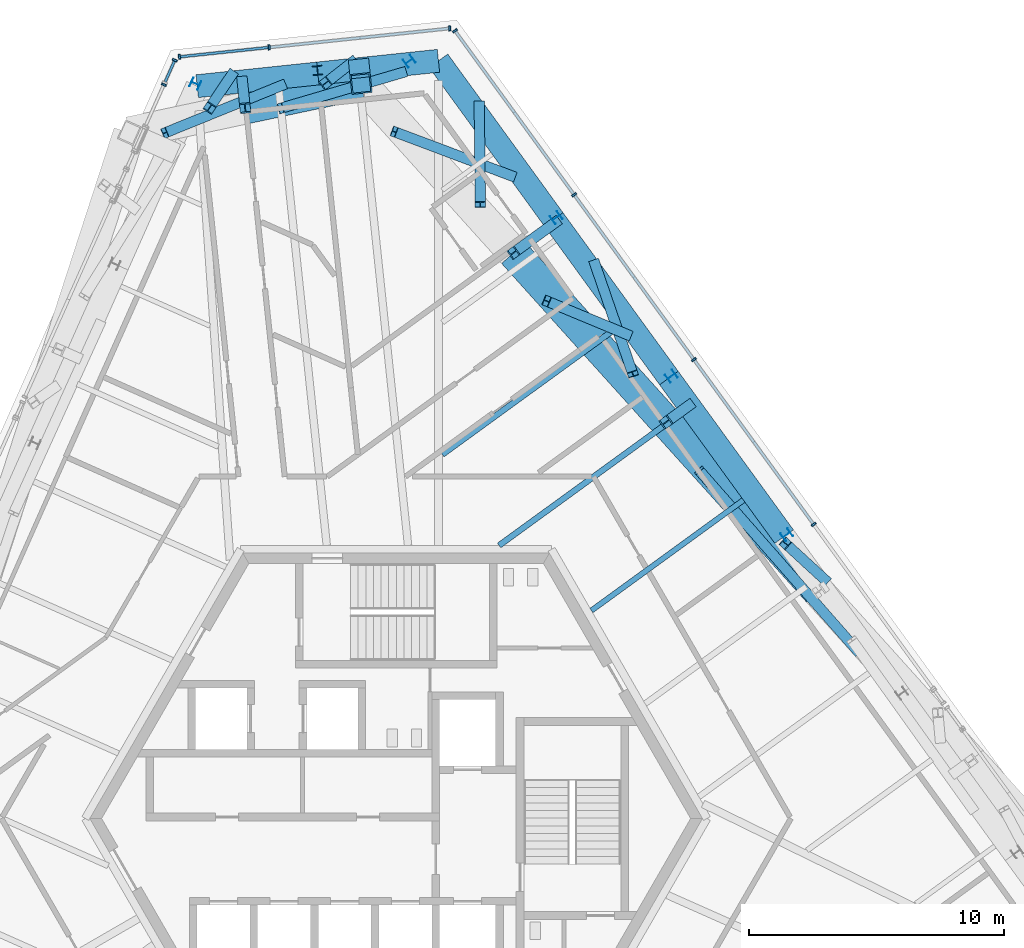
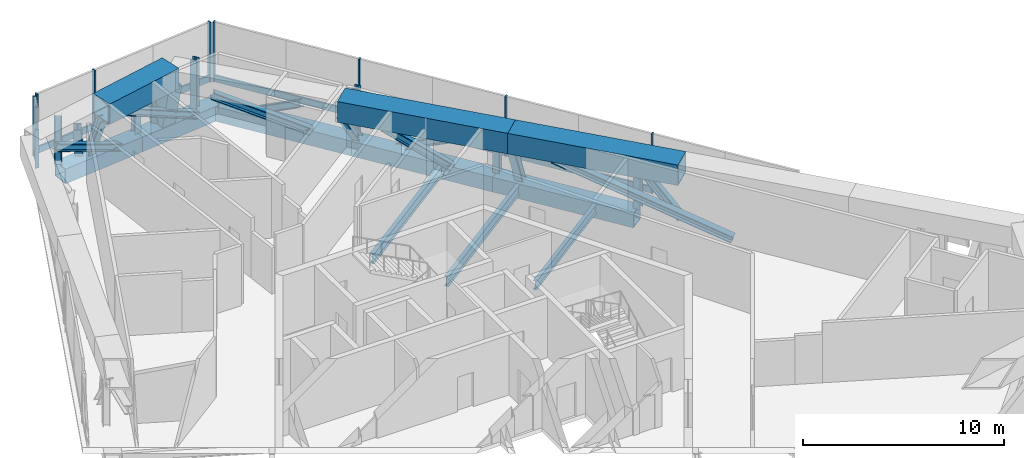
# One storey, part 7 of 23: 43 members, 3 beams, 4 elements without a shape of their own.
"""IFC4 building model written with IfcOpenShell, lengths in metres."""

import ifcopenshell
import ifcopenshell.guid

model = None  # the IFC model being written
_history = None  # IfcOwnerHistory: only IFC2X3 demands one
_inside = {}  # id of a spatial element -> (the spatial element, [elements in it])
_under = {}  # id of a project, library or spatial element -> (it, [spatial elements below it])
_declared = {}  # id of a project -> (the project, [libraries it declares])
_typed = {}  # id of a type object -> (the type object, [elements of that type])
_made_of = {}  # id of a material, layer set ... -> (it, [elements and type objects made of it])


def new_model(schema):
    """Start an empty IFC model of exactly this schema.

    Asked for "IFC4X3", IfcOpenShell would pick the latest addendum, in which some entities
    have other attributes; the version numbers below select the first issue.
    IFC2X3 requires an IfcOwnerHistory on every rooted entity: one is made here for all.
    """
    global model, _history
    if schema == "IFC4X3":
        model = ifcopenshell.file(schema_version=(4, 3, 0, 0))
    else:
        model = ifcopenshell.file(schema=schema)
    _inside.clear()
    _under.clear()
    _declared.clear()
    _typed.clear()
    _made_of.clear()
    _history = None
    if model.schema == "IFC2X3":
        org = make("IfcOrganization", Name="unknown")
        user = make(
            "IfcPersonAndOrganization",
            ThePerson=make("IfcPerson", FamilyName="unknown"),
            TheOrganization=org,
        )
        app = make(
            "IfcApplication",
            ApplicationDeveloper=org,
            Version="unknown",
            ApplicationFullName="unknown",
            ApplicationIdentifier="unknown",
        )
        _history = make(
            "IfcOwnerHistory",
            OwningUser=user,
            OwningApplication=app,
            ChangeAction="ADDED",
            CreationDate=0,
        )
    return model


def make(cls, **values):
    """One entity of the class cls with the attributes given. An attribute that is None is left unset."""
    return model.create_entity(
        cls, **{name: value for name, value in values.items() if value is not None}
    )


def rooted(cls, **values):
    """An entity with a GlobalId (a new one), such as an element, a storey or a relation."""
    return make(cls, GlobalId=ifcopenshell.guid.new(), OwnerHistory=_history, **values)


def si_unit(unit_type, name, prefix=None):
    """IfcSIUnit, for example si_unit("LENGTHUNIT", "METRE", prefix="MILLI")."""
    return make("IfcSIUnit", UnitType=unit_type, Prefix=prefix, Name=name)


def assignment(units):
    """IfcUnitAssignment: the units of a project."""
    return None if units is None else make("IfcUnitAssignment", Units=units)


def point(xyz):
    """IfcCartesianPoint."""
    return None if xyz is None else make("IfcCartesianPoint", Coordinates=xyz)


def direction(xyz):
    """IfcDirection."""
    return None if xyz is None else make("IfcDirection", DirectionRatios=xyz)


def frame(location, z_axis=None, x_axis=None):
    """IfcAxis2Placement3D, a coordinate frame: its origin and axes. An axis left out is left unset."""
    return make(
        "IfcAxis2Placement3D",
        Location=point(location),
        Axis=direction(z_axis),
        RefDirection=direction(x_axis),
    )


def frame_2d(location, x_axis=None):
    """IfcAxis2Placement2D, a coordinate frame in the plane: its origin and x axis."""
    return make(
        "IfcAxis2Placement2D", Location=point(location), RefDirection=direction(x_axis)
    )


def origin():
    """The frame at (0, 0, 0) with its axes left unset."""
    return frame((0.0, 0.0, 0.0))


def origin_2d():
    """The frame at (0, 0) in the plane with its x axis left unset."""
    return frame_2d((0.0, 0.0))


def place(relative_to, where):
    """IfcLocalPlacement: puts the frame where relative to a parent placement (None: the world)."""
    return make(
        "IfcLocalPlacement", PlacementRelTo=relative_to, RelativePlacement=where
    )


def context(
    kind, dimensions, precision=None, world=None, true_north=None, identifier=None
):
    """IfcGeometricRepresentationContext, for example the 3D "Model" context."""
    return make(
        "IfcGeometricRepresentationContext",
        ContextIdentifier=identifier,
        ContextType=kind,
        CoordinateSpaceDimension=dimensions,
        Precision=precision,
        WorldCoordinateSystem=world,
        TrueNorth=true_north,
    )


def subcontext(parent, identifier, kind, view, scale=None):
    """IfcGeometricRepresentationSubContext, for example "Body" below "Model"."""
    return make(
        "IfcGeometricRepresentationSubContext",
        ContextIdentifier=identifier,
        ContextType=kind,
        ParentContext=parent,
        TargetScale=scale,
        TargetView=view,
    )


def project(units=None, contexts=None):
    """IfcProject with its units and contexts."""
    return rooted(
        "IfcProject",
        Name="project",
        RepresentationContexts=contexts,
        UnitsInContext=assignment(units),
    )


def spatial(cls, under=None, at=None, **own):
    """A site, building, storey or space (cls), placed at a placement, below another one or the project."""
    s = rooted(cls, ObjectPlacement=at, **own)
    if under is not None:
        _under.setdefault(under.id(), (under, []))[1].append(s)
    return s


def profile(cls, at=None, kind="AREA", **sizes):
    """A parametric profile (cls). Its sizes go by their IFC names, for example OverallWidth=200.0."""
    return make(cls, ProfileType=kind, Position=at, **sizes)


def rectangle(**sizes):
    """IfcRectangleProfileDef."""
    return profile("IfcRectangleProfileDef", **sizes)


def hollow_rectangle(**sizes):
    """IfcRectangleHollowProfileDef."""
    return profile("IfcRectangleHollowProfileDef", **sizes)


def i_section(**sizes):
    """IfcIShapeProfileDef."""
    return profile("IfcIShapeProfileDef", **sizes)


def extrude(swept, where, along, depth):
    """IfcExtrudedAreaSolid: the profile swept, set in the frame where, extruded along a direction by depth."""
    return make(
        "IfcExtrudedAreaSolid",
        SweptArea=swept,
        Position=where,
        ExtrudedDirection=direction(along),
        Depth=depth,
    )


def shape(context_of_items, identifier, shape_type, items):
    """IfcShapeRepresentation: the items that make up one representation, for example the "Body"."""
    return make(
        "IfcShapeRepresentation",
        ContextOfItems=context_of_items,
        RepresentationIdentifier=identifier,
        RepresentationType=shape_type,
        Items=items,
    )


def source(mapping_origin, context_of_items, identifier, shape_type, items):
    """IfcRepresentationMap: a shape defined once, which mapped items show again and again."""
    return make(
        "IfcRepresentationMap",
        MappingOrigin=mapping_origin,
        MappedRepresentation=shape(context_of_items, identifier, shape_type, items),
    )


def transform(
    local_origin,
    x_axis=None,
    y_axis=None,
    z_axis=None,
    scale=None,
    scale2=None,
    scale3=None,
    uniform=True,
):
    """IfcCartesianTransformationOperator3D, or its non-uniform kind. x_axis, y_axis, z_axis: its Axis1, 2, 3."""
    if uniform:
        return make(
            "IfcCartesianTransformationOperator3D",
            Axis1=direction(x_axis),
            Axis2=direction(y_axis),
            LocalOrigin=point(local_origin),
            Scale=scale,
            Axis3=direction(z_axis),
        )
    return make(
        "IfcCartesianTransformationOperator3DnonUniform",
        Axis1=direction(x_axis),
        Axis2=direction(y_axis),
        LocalOrigin=point(local_origin),
        Scale=scale,
        Axis3=direction(z_axis),
        Scale2=scale2,
        Scale3=scale3,
    )


def mapped(mapping_source, mapping_target):
    """IfcMappedItem: shows the shape of a source again, moved by a transform."""
    return make(
        "IfcMappedItem", MappingSource=mapping_source, MappingTarget=mapping_target
    )


def material(Name=None, Category=None):
    """IfcMaterial."""
    return make("IfcMaterial", Name=Name, Category=Category)


def material_profile(
    of_material, cross_section, Name=None, Category=None, Priority=None
):
    """IfcMaterialProfile: a cross section and its material."""
    return make(
        "IfcMaterialProfile",
        Name=Name,
        Material=of_material,
        Profile=cross_section,
        Priority=Priority,
        Category=Category,
    )


def profile_set(profiles, Name=None, composite=None):
    """IfcMaterialProfileSet."""
    return make(
        "IfcMaterialProfileSet",
        Name=Name,
        MaterialProfiles=profiles,
        CompositeProfile=composite,
    )


def made_of(thing, what):
    """Note that an element or type object is made of a material, layer set ...; save() writes the relation."""
    if what is not None:
        _made_of.setdefault(what.id(), (what, []))[1].append(thing)
    return thing


def type_object(cls, material=None, **own):
    """A type object (cls), such as IfcWallType, which elements share."""
    return made_of(rooted(cls, **own), material)


def element(
    cls,
    number,
    at=None,
    inside=None,
    cuts=None,
    type_object=None,
    material=None,
    context=None,
    identifier="Body",
    shape_type=None,
    held_by="IfcProductDefinitionShape",
    body=None,
    shapes=None,
    **own,
):
    """One element of the class cls, such as IfcWall. Its Tag is "e" and its number.

    at: its placement. inside: the storey or other place that contains it. cuts: it is an
    opening in that element (IfcRelVoidsElement). A single representation is given by context,
    identifier, shape_type and body (its items); several are given by shapes. held_by: the class
    of the entity that holds the representations. save() writes the other relations.
    """
    e = rooted(cls, Tag="e%d" % number, ObjectPlacement=at, **own)
    if body is not None:
        shapes = [shape(context, identifier, shape_type, body)]
    if shapes is not None:
        e.Representation = make(held_by, Representations=shapes)
    if inside is not None:
        _inside.setdefault(inside.id(), (inside, []))[1].append(e)
    if cuts is not None:
        rooted(
            "IfcRelVoidsElement", RelatingBuildingElement=cuts, RelatedOpeningElement=e
        )
    if type_object is not None:
        _typed.setdefault(type_object.id(), (type_object, []))[1].append(e)
    return made_of(e, material)


def aggregate(whole, parts):
    """IfcRelAggregates: a whole, such as a stair, and the parts it consists of."""
    return rooted("IfcRelAggregates", RelatingObject=whole, RelatedObjects=parts)


def save(model, path):
    """Write the relations noted so far, then the file.

    IfcRelAggregates (storeys below a building ...), IfcRelContainedInSpatialStructure (elements
    in a storey), IfcRelDefinesByType, IfcRelAssociatesMaterial and IfcRelDeclares: one each for
    every whole, place, type object, material and project.
    """
    for whole, parts in _under.values():
        aggregate(whole, parts)
    for where, things in _inside.values():
        rooted(
            "IfcRelContainedInSpatialStructure",
            RelatedElements=things,
            RelatingStructure=where,
        )
    for kind, things in _typed.values():
        rooted("IfcRelDefinesByType", RelatedObjects=things, RelatingType=kind)
    for what, things in _made_of.values():
        rooted("IfcRelAssociatesMaterial", RelatedObjects=things, RelatingMaterial=what)
    for by, libraries in _declared.values():
        rooted("IfcRelDeclares", RelatingContext=by, RelatedDefinitions=libraries)
    model.write(path)


model = new_model("IFC4")

# Units and contexts
model_context = context("Model", 3, precision=1e-05, world=origin(), true_north=direction((0.0, 1.0)))
body_context = subcontext(model_context, "Body", "Model", "MODEL_VIEW")
ifc_project = project(units=[si_unit("LENGTHUNIT", "METRE"), si_unit("AREAUNIT", "SQUARE_METRE"), si_unit("VOLUMEUNIT", "CUBIC_METRE"), si_unit("PLANEANGLEUNIT", "RADIAN"), si_unit("MASSUNIT", "GRAM", prefix="KILO")], contexts=[model_context])

# Site, building, storey
site_placement = place(None, origin())
site = spatial("IfcSite", under=ifc_project, at=site_placement, CompositionType="ELEMENT")
building_placement = place(site_placement, origin())
building = spatial("IfcBuilding", under=site, at=building_placement, Name="Triune Harvest Tower", CompositionType="ELEMENT")
storey_placement = place(building_placement, frame((0.0, 0.0, 255.699951171875)))
storey = spatial("IfcBuildingStorey", under=building, at=storey_placement, Name="L67", CompositionType="ELEMENT", Elevation=255.699951171875)

# Members
ifc_material_1 = material(Name="Steel ASTM A572 Gr 50", Category="steel")
ifc_material_profile_1 = material_profile(ifc_material_1, hollow_rectangle(XDim=0.89990234375, YDim=0.89990234375, WallThickness=0.050048828125, at=origin_2d()), Name="Box 900x900x50")
ifc_profile_set_1 = profile_set([ifc_material_profile_1], Name="Steel ASTM A572 Gr 50")
member_type_1 = type_object("IfcMemberType", Name="TC-2 Belt truss chord Box 900x900x50", PredefinedType="CHORD", material=ifc_profile_set_1)
member_1_placement = place(storey_placement, frame((-3.0673828125, 29.18505859375, -0.699951171875), z_axis=(-0.994519238863, -0.104553735139, 0.0), x_axis=(0.104553735139, -0.994519238863, 0.0)))
element("IfcMember", 1, at=member_1_placement, inside=storey, type_object=member_type_1, Name="truss/L67/TCB8", PredefinedType="CHORD", context=body_context, shape_type="SweptSolid", body=[
    extrude(hollow_rectangle(XDim=0.89990234375, YDim=0.89990234375, WallThickness=0.050048828125, at=origin_2d()), origin(), (0.0, 0.0, 1.0), 4.751953125),
])
ifc_material_2 = material(Name="Steel ASTM A992 Gr 50", Category="steel")
ifc_material_profile_2 = material_profile(ifc_material_2, i_section(OverallWidth=0.40380859375, OverallDepth=0.406494140625, WebThickness=0.027099609375, FlangeThickness=0.043701171875, at=origin_2d()), Name="W14x233")
ifc_profile_set_2 = profile_set([ifc_material_profile_2], Name="Steel ASTM A992 Gr 50")
member_type_2 = type_object("IfcMemberType", Name="TD-3 Belt truss diagonal W14x233", PredefinedType="BRACE", material=ifc_profile_set_2)
member_2_placement = place(storey_placement, frame((18.11669921875, 6.51806640625, -0.324951171875), z_axis=(-0.633404144213, 0.72183217529, 0.278850319722), x_axis=(-0.751646554034, -0.659566113297, 0.0)))
element("IfcMember", 2, at=member_2_placement, inside=storey, type_object=member_type_2, Name="truss/L67/TD5", PredefinedType="BRACE", context=body_context, shape_type="SweptSolid", body=[
    extrude(i_section(OverallWidth=0.40380859375, OverallDepth=0.406494140625, WebThickness=0.027099609375, FlangeThickness=0.043701171875, at=origin_2d()), origin(), (0.0, 0.0, 1.0), 9.86181640625),
])
member_3_placement = place(storey_placement, frame((3.255126953125, 27.994140625, -0.324951171875), z_axis=(0.008984432786, -0.820375156397, 0.571755089819), x_axis=(0.999940036459, 0.010950958202, 0.0)))
element("IfcMember", 3, at=member_3_placement, inside=storey, type_object=member_type_2, Name="truss/L67/TD10", PredefinedType="BRACE", context=body_context, shape_type="SweptSolid", body=[
    extrude(i_section(OverallWidth=0.40380859375, OverallDepth=0.406494140625, WebThickness=0.027099609375, FlangeThickness=0.043701171875, at=origin_2d()), origin(), (0.0, 0.0, 1.0), 4.809814453125),
])
member_4_placement = place(storey_placement, frame((-4.42041015625, 28.7412109375, -0.324951171875), z_axis=(-0.81215898161, -0.329836779317, 0.481254078008), x_axis=(0.376276377088, -0.926507467884, 0.0)))
element("IfcMember", 4, at=member_4_placement, inside=storey, type_object=member_type_2, Name="truss/L67/TD13", PredefinedType="BRACE", context=body_context, shape_type="SweptSolid", body=[
    extrude(i_section(OverallWidth=0.40380859375, OverallDepth=0.406494140625, WebThickness=0.027099609375, FlangeThickness=0.043701171875, at=origin_2d()), origin(), (0.0, 0.0, 1.0), 5.71435546875),
])

# Curtain wall, members
ifc_material_3 = material(Name="Aluminium bronze anodised", Category="aluminium")
curtain_wall_type = type_object("IfcCurtainWallType", Name="CW-5 Plant louvre wall", PredefinedType="NOTDEFINED", material=ifc_material_3)
curtain_wall_1_placement = place(storey_placement, origin())
curtain_wall_1 = element("IfcCurtainWall", 5, at=curtain_wall_1_placement, inside=storey, type_object=curtain_wall_type, Name="CW-5 B6-F2 L67 run 1")
ifc_material_4 = material(Name="Aluminium bronze anodised", Category="aluminium")
ifc_material_profile_3 = material_profile(ifc_material_4, rectangle(XDim=0.10009765625, YDim=0.39990234375, at=origin_2d()), Name="TR-5 transom 100 x 400")
ifc_profile_set_3 = profile_set([ifc_material_profile_3], Name="Aluminium bronze anodised")
member_type_3 = type_object("IfcMemberType", Name="TR-5 transom 100 x 400", PredefinedType="USERDEFINED", material=ifc_profile_set_3)
member_5_placement = place(storey_placement, frame((2.06005859375, 30.946044921875, 0.199951171875), z_axis=(-0.994523702168, -0.104511271289, 0.0), x_axis=(0.104511271289, -0.994523702168, 0.0)))
member_5 = element("IfcMember", 6, at=member_5_placement, type_object=member_type_3, Name="CW-5 transom B6-F2 1.1", ObjectType="TRANSOM", PredefinedType="USERDEFINED", context=body_context, shape_type="SweptSolid", body=[
    extrude(rectangle(XDim=0.10009765625, YDim=0.39990234375, at=origin_2d()), origin(), (0.0, 0.0, 1.0), 7.031494140625),
])
member_6_placement = place(storey_placement, frame((-5.01220703125, 30.202880859375, 0.199951171875), z_axis=(-0.994518606969, -0.104559745565, 0.0), x_axis=(0.104559745565, -0.994518606969, 0.0)))
member_6 = element("IfcMember", 7, at=member_6_placement, type_object=member_type_3, Name="CW-5 transom B6-F2 1.2", ObjectType="TRANSOM", PredefinedType="USERDEFINED", context=body_context, shape_type="SweptSolid", body=[
    extrude(rectangle(XDim=0.10009765625, YDim=0.39990234375, at=origin_2d()), origin(), (0.0, 0.0, 1.0), 3.455810546875),
])

# Curtain wall, member
curtain_wall_2_placement = place(storey_placement, origin())
curtain_wall_2 = element("IfcCurtainWall", 8, at=curtain_wall_2_placement, inside=storey, type_object=curtain_wall_type, Name="CW-5 B6-F3 L67 run 1")
member_7_placement = place(storey_placement, frame((-8.687255859375, 29.66845703125, 0.199951171875), z_axis=(-0.406725238316, -0.913550535284, 0.0), x_axis=(0.913550535284, -0.406725238316, 0.0)))
member_7 = element("IfcMember", 9, at=member_7_placement, type_object=member_type_3, Name="CW-5 transom B6-F3 1.1", ObjectType="TRANSOM", PredefinedType="USERDEFINED", context=body_context, shape_type="SweptSolid", body=[
    extrude(rectangle(XDim=0.10009765625, YDim=0.39990234375, at=origin_2d()), origin(), (0.0, 0.0, 1.0), 0.8876953125),
])

# Member
ifc_material_5 = material(Name="Steel ASTM A992 Gr 50", Category="steel")
ifc_material_profile_4 = material_profile(ifc_material_5, i_section(OverallWidth=0.411376953125, OverallDepth=0.434326171875, WebThickness=0.035888671875, FlangeThickness=0.057373046875, at=origin_2d()), Name="W14x311")
ifc_profile_set_4 = profile_set([ifc_material_profile_4], Name="Steel ASTM A992 Gr 50")
member_type_4 = type_object("IfcMemberType", Name="TV-1 Belt truss strut W14x311", PredefinedType="STRUT", material=ifc_profile_set_4)
member_8_placement = place(storey_placement, frame((6.25048828125, 23.361083984375, -0.27490234375), z_axis=(-0.488259483015, -0.354730752575, 0.797351096082), x_axis=(0.587773836279, -0.809025288471, 0.0)))
element("IfcMember", 10, at=member_8_placement, inside=storey, type_object=member_type_4, Name="truss/L67/TS5", PredefinedType="STRUT", context=body_context, shape_type="SweptSolid", body=[
    extrude(i_section(OverallWidth=0.411376953125, OverallDepth=0.434326171875, WebThickness=0.035888671875, FlangeThickness=0.057373046875, at=origin_2d()), origin(), (0.0, 0.0, 1.0), 3.38623046875),
])

# Beams
ifc_material_6 = material(Name="Steel ASTM A992 Gr 50", Category="steel")
ifc_material_profile_5 = material_profile(ifc_material_6, i_section(OverallWidth=0.2099609375, OverallDepth=0.535888671875, WebThickness=0.010986328125, FlangeThickness=0.017333984375, at=origin_2d()), Name="W21x68")
ifc_profile_set_5 = profile_set([ifc_material_profile_5], Name="Steel ASTM A992 Gr 50")
beam_type_1 = type_object("IfcBeamType", Name="JT-2 Floor joist W21x68", PredefinedType="JOIST", material=ifc_profile_set_5)
shared_shape_1 = source(origin(), body_context, "Body", "SweptSolid", [
    extrude(i_section(OverallWidth=0.2099609375, OverallDepth=0.535888671875, WebThickness=0.010986328125, FlangeThickness=0.017333984375, at=origin_2d()), origin(), (0.0, 0.0, 1.0), 7.36181640625),
])
beam_1_placement = place(storey_placement, frame((13.604736328125, 12.47314453125, -0.51806640625), z_axis=(-0.809017072763, -0.587785144401, 0.0), x_axis=(0.587785144401, -0.809017072763, 0.0)))
element("IfcBeam", 11, at=beam_1_placement, inside=storey, type_object=beam_type_1, Name="beam/L67/JT6", PredefinedType="JOIST", context=body_context, shape_type="MappedRepresentation", body=[
    mapped(shared_shape_1, transform((0.0, 0.0, 0.0), scale=1.0)),
])
ifc_material_7 = material(Name="Steel ASTM A992 Gr 50", Category="steel")
ifc_material_profile_6 = material_profile(ifc_material_7, i_section(OverallWidth=0.22900390625, OverallDepth=0.612060546875, WebThickness=0.011962890625, FlangeThickness=0.01953125, at=origin_2d()), Name="W24x84")
ifc_profile_set_6 = profile_set([ifc_material_profile_6], Name="Steel ASTM A992 Gr 50")
beam_type_2 = type_object("IfcBeamType", Name="JT-3 Floor joist W24x84", PredefinedType="JOIST", material=ifc_profile_set_6)
shared_shape_2 = source(origin(), body_context, "Body", "SweptSolid", [
    extrude(i_section(OverallWidth=0.22900390625, OverallDepth=0.612060546875, WebThickness=0.011962890625, FlangeThickness=0.01953125, at=origin_2d()), origin(), (0.0, 0.0, 1.0), 8.787109375),
])
beam_2_placement = place(storey_placement, frame((11.142578125, 15.862060546875, -0.55615234375), z_axis=(-0.809009930261, -0.587794975088, 0.0), x_axis=(0.587794975088, -0.809009930261, 0.0)))
element("IfcBeam", 12, at=beam_2_placement, inside=storey, type_object=beam_type_2, Name="beam/L67/JT7", PredefinedType="JOIST", context=body_context, shape_type="MappedRepresentation", body=[
    mapped(shared_shape_2, transform((0.0, 0.0, 0.0), scale=1.0)),
])
shared_shape_3 = source(origin(), body_context, "Body", "SweptSolid", [
    extrude(i_section(OverallWidth=0.22900390625, OverallDepth=0.612060546875, WebThickness=0.011962890625, FlangeThickness=0.01953125, at=origin_2d()), origin(), (0.0, 0.0, 1.0), 8.49169921875),
])
beam_3_placement = place(storey_placement, frame((8.680419921875, 19.250732421875, -0.55615234375), z_axis=(-0.809019457971, -0.587781861429, 0.0), x_axis=(0.587781861429, -0.809019457971, 0.0)))
element("IfcBeam", 13, at=beam_3_placement, inside=storey, type_object=beam_type_2, Name="beam/L67/JT8", PredefinedType="JOIST", context=body_context, shape_type="MappedRepresentation", body=[
    mapped(shared_shape_3, transform((0.0, 0.0, 0.0), scale=1.0)),
])

# Members
ifc_material_8 = material(Name="Steel ASTM A992 Gr 50", Category="steel")
ifc_material_profile_7 = material_profile(ifc_material_8, i_section(OverallWidth=0.368408203125, OverallDepth=0.355712890625, WebThickness=0.01123046875, FlangeThickness=0.01806640625, at=origin_2d()), Name="W14x90")
ifc_profile_set_7 = profile_set([ifc_material_profile_7], Name="Steel ASTM A992 Gr 50")
member_type_5 = type_object("IfcMemberType", Name="WP-6 Roof edge post W14x90", PredefinedType="POST", material=ifc_profile_set_7)
shared_shape_4 = source(origin(), body_context, "Body", "SweptSolid", [
    extrude(i_section(OverallWidth=0.368408203125, OverallDepth=0.355712890625, WebThickness=0.01123046875, FlangeThickness=0.01806640625, at=origin_2d()), origin(), (0.0, 0.0, 1.0), 2.9755859375),
])
for number, where, z_axis, x_axis, name in (
    (14, (15.296875, 11.11376953125, -0.25), (0.0, 0.0, 1.0), (-0.587785252292, 0.809016994375, 0.0), "post/L67/W3"),
    (15, (10.782958984375, 17.32666015625, -0.25), (0.0, 0.0, 1.0), (-0.587785252292, 0.809016994375, 0.0), "post/L67/W4"),
    (16, (6.269287109375, 23.539306640625, -0.25), (0.0, 0.0, 1.0), (-0.587785252292, 0.809016994375, 0.0), "post/L67/W5"),
    (17, (0.51318359375, 29.669921875, -0.25), (0.0, 0.0, 1.0), (-0.587785252292, 0.809016994375, 0.0), "post/L67/W6"),
    (18, (-3.080078125, 29.30419921875, -0.25), (0.0, 0.0, 1.0), (-0.994521895368, -0.104528463268, 0.0), "post/L67/W7"),
    (19, (-7.863525390625, 28.785400390625, -0.25), (0.0, 0.0, 1.0), (-0.406738237513, -0.913544747752, 0.0), "post/L67/W8"),
):
    element("IfcMember", number, at=place(storey_placement, frame(where, z_axis=z_axis, x_axis=x_axis)), inside=storey, type_object=member_type_5, Name=name, PredefinedType="POST", context=body_context, shape_type="MappedRepresentation", body=[
        mapped(shared_shape_4, transform((0.0, 0.0, 0.0), scale=1.0)),
    ])
shared_shape_5 = source(origin(), body_context, "Body", "SweptSolid", [
    extrude(hollow_rectangle(XDim=0.89990234375, YDim=0.89990234375, WallThickness=0.050048828125, at=origin_2d()), origin(), (0.0, 0.0, 1.0), 7.679443359375),
])
for number, where, z_axis, x_axis, name in (
    (20, (15.19970703125, 11.043212890625, -0.699951171875), (-0.58778412343, 0.809017814541, 0.0), (-0.809017814541, -0.58778412343, 0.0), "truss/L67/TCB4"),
    (21, (10.685791015625, 17.256103515625, -0.699951171875), (-0.587763315313, 0.809032932069, 0.0), (-0.809032932069, -0.587763315313, 0.0), "truss/L67/TCB5"),
    (22, (6.172119140625, 23.468994140625, -0.699951171875), (-0.587799241229, 0.809006830633, 0.0), (-0.809006830633, -0.587799241229, 0.0), "truss/L67/TCB6"),
):
    element("IfcMember", number, at=place(storey_placement, frame(where, z_axis=z_axis, x_axis=x_axis)), inside=storey, type_object=member_type_1, Name=name, PredefinedType="CHORD", context=body_context, shape_type="MappedRepresentation", body=[
        mapped(shared_shape_5, transform((0.0, 0.0, 0.0), scale=1.0)),
    ])
shared_shape_6 = source(origin(), body_context, "Body", "SweptSolid", [
    extrude(hollow_rectangle(XDim=0.89990234375, YDim=0.89990234375, WallThickness=0.050048828125, at=origin_2d()), origin(), (0.0, 0.0, 1.0), 4.751708984375),
])
member_9_placement = place(storey_placement, frame((1.658203125, 29.681640625, -0.699951171875), z_axis=(-0.994524018753, -0.104508258635, 0.0), x_axis=(0.104508258635, -0.994524018753, 0.0)))
element("IfcMember", 23, at=member_9_placement, inside=storey, type_object=member_type_1, Name="truss/L67/TCB7", PredefinedType="CHORD", context=body_context, shape_type="MappedRepresentation", body=[
    mapped(shared_shape_6, transform((0.0, 0.0, 0.0), scale=1.0)),
])
ifc_material_9 = material(Name="Steel ASTM A572 Gr 50", Category="steel")
ifc_material_profile_8 = material_profile(ifc_material_9, hollow_rectangle(XDim=1.25, YDim=1.25, WallThickness=0.070068359375, at=origin_2d()), Name="Box 1250x1250x70")
ifc_profile_set_8 = profile_set([ifc_material_profile_8], Name="Steel ASTM A572 Gr 50")
member_type_6 = type_object("IfcMemberType", Name="TC-1 Belt truss chord Box 1250x1250x70", PredefinedType="CHORD", material=ifc_profile_set_8)
shared_shape_7 = source(origin(), body_context, "Body", "SweptSolid", [
    extrude(hollow_rectangle(XDim=1.25, YDim=1.25, WallThickness=0.070068359375, at=origin_2d()), origin(), (0.0, 0.0, 1.0), 8.927978515625),
])
for number, where, z_axis, x_axis, name in (
    (24, (16.545166015625, 8.890380859375, 3.01513671875), (-0.669124862885, 0.743149996884, 0.0), (-0.743149996884, -0.669124862885, 0.0), "truss/L67/TCT3"),
    (25, (10.5712890625, 15.525146484375, 3.01513671875), (-0.669139964799, 0.743136398994, 0.0), (-0.743136398994, -0.669139964799, 0.0), "truss/L67/TCT4"),
):
    element("IfcMember", number, at=place(storey_placement, frame(where, z_axis=z_axis, x_axis=x_axis)), inside=storey, type_object=member_type_6, Name=name, PredefinedType="CHORD", context=body_context, shape_type="MappedRepresentation", body=[
        mapped(shared_shape_7, transform((0.0, 0.0, 0.0), scale=1.0)),
    ])
shared_shape_8 = source(origin(), body_context, "Body", "SweptSolid", [
    extrude(hollow_rectangle(XDim=1.25, YDim=1.25, WallThickness=0.070068359375, at=origin_2d()), origin(), (0.0, 0.0, 1.0), 4.64013671875),
])
member_10_placement = place(storey_placement, frame((-1.376708984375, 28.794921875, 3.01513671875), z_axis=(-0.978143738277, -0.207929861421, 0.0), x_axis=(0.207929861421, -0.978143738277, 0.0)))
element("IfcMember", 26, at=member_10_placement, inside=storey, type_object=member_type_6, Name="truss/L67/TCT6", PredefinedType="CHORD", context=body_context, shape_type="MappedRepresentation", body=[
    mapped(shared_shape_8, transform((0.0, 0.0, 0.0), scale=1.0)),
])
shared_shape_9 = source(origin(), body_context, "Body", "SweptSolid", [
    extrude(i_section(OverallWidth=0.411376953125, OverallDepth=0.434326171875, WebThickness=0.035888671875, FlangeThickness=0.057373046875, at=origin_2d()), origin(), (0.0, 0.0, 1.0), 2.919189453125),
])
member_11_placement = place(storey_placement, frame((11.469482421875, 16.177734375, -0.27490234375), z_axis=(-0.307673390792, -0.223541987928, 0.924860024129), x_axis=(0.587792454268, -0.809011761785, 0.0)))
element("IfcMember", 27, at=member_11_placement, inside=storey, type_object=member_type_4, Name="truss/L67/TS4", PredefinedType="STRUT", context=body_context, shape_type="MappedRepresentation", body=[
    mapped(shared_shape_9, transform((0.0, 0.0, 0.0), scale=1.0)),
])
ifc_material_10 = material(Name="Steel ASTM A572 Gr 50", Category="steel")
ifc_material_profile_9 = material_profile(ifc_material_10, hollow_rectangle(XDim=0.800048828125, YDim=0.800048828125, WallThickness=0.050048828125, at=origin_2d()), Name="Box 800x800x50")
ifc_profile_set_9 = profile_set([ifc_material_profile_9], Name="Steel ASTM A572 Gr 50")
member_type_7 = type_object("IfcMemberType", Name="TS-2 Belt truss raked strut Box 800x800x50", PredefinedType="STRUT", material=ifc_profile_set_9)
shared_shape_10 = source(origin(), body_context, "Body", "SweptSolid", [
    extrude(hollow_rectangle(XDim=0.800048828125, YDim=0.800048828125, WallThickness=0.050048828125, at=origin_2d()), origin(), (0.0, 0.0, 1.0), 2.75830078125),
])
member_12_placement = place(storey_placement, frame((-1.435791015625, 29.3564453125, -0.27490234375), z_axis=(0.021419280579, -0.203571674926, 0.978825718699), x_axis=(0.994510190486, 0.104639767869, 0.0)))
element("IfcMember", 28, at=member_12_placement, inside=storey, type_object=member_type_7, Name="truss/L67/TS6", PredefinedType="STRUT", context=body_context, shape_type="MappedRepresentation", body=[
    mapped(shared_shape_10, transform((0.0, 0.0, 0.0), scale=1.0)),
])
shared_shape_11 = source(origin(), body_context, "Body", "SweptSolid", [
    extrude(i_section(OverallWidth=0.411376953125, OverallDepth=0.434326171875, WebThickness=0.035888671875, FlangeThickness=0.057373046875, at=origin_2d()), origin(), (0.0, 0.0, 1.0), 2.896728515625),
])
member_13_placement = place(storey_placement, frame((-6.025146484375, 28.8740234375, -0.27490234375), z_axis=(0.037841179579, -0.360376133364, 0.932039209277), x_axis=(0.994532183592, 0.104430530971, 0.0)))
element("IfcMember", 29, at=member_13_placement, inside=storey, type_object=member_type_4, Name="truss/L67/TS7", PredefinedType="STRUT", context=body_context, shape_type="MappedRepresentation", body=[
    mapped(shared_shape_11, transform((0.0, 0.0, 0.0), scale=1.0)),
])
shared_shape_12 = source(origin(), body_context, "Body", "SweptSolid", [
    extrude(i_section(OverallWidth=0.40380859375, OverallDepth=0.406494140625, WebThickness=0.027099609375, FlangeThickness=0.043701171875, at=origin_2d()), origin(), (0.0, 0.0, 1.0), 3.462890625),
])
member_14_placement = place(storey_placement, frame((16.796630859375, 9.355712890625, -0.324951171875), z_axis=(-0.447696902708, 0.410964605651, 0.794150852299), x_axis=(-0.676239298401, -0.736682028624, 0.0)))
element("IfcMember", 30, at=member_14_placement, inside=storey, type_object=member_type_2, Name="truss/L67/TD6", PredefinedType="BRACE", context=body_context, shape_type="MappedRepresentation", body=[
    mapped(shared_shape_12, transform((0.0, 0.0, 0.0), scale=1.0)),
])
shared_shape_13 = source(origin(), body_context, "Body", "SweptSolid", [
    extrude(i_section(OverallWidth=0.40380859375, OverallDepth=0.406494140625, WebThickness=0.027099609375, FlangeThickness=0.043701171875, at=origin_2d()), origin(), (0.0, 0.0, 1.0), 4.41845703125),
])
member_15_placement = place(storey_placement, frame((9.089111328125, 18.943603515625, -0.324951171875), z_axis=(-0.722695234334, 0.300538220012, 0.622405315356), x_axis=(-0.383978664319, -0.923341965551, 0.0)))
element("IfcMember", 31, at=member_15_placement, inside=storey, type_object=member_type_2, Name="truss/L67/TD7", PredefinedType="BRACE", context=body_context, shape_type="MappedRepresentation", body=[
    mapped(shared_shape_13, transform((0.0, 0.0, 0.0), scale=1.0)),
])
shared_shape_14 = source(origin(), body_context, "Body", "SweptSolid", [
    extrude(i_section(OverallWidth=0.40380859375, OverallDepth=0.406494140625, WebThickness=0.027099609375, FlangeThickness=0.043701171875, at=origin_2d()), origin(), (0.0, 0.0, 1.0), 5.3759765625),
])
member_16_placement = place(storey_placement, frame((7.768798828125, 21.781494140625, -0.324951171875), z_axis=(0.279653088324, -0.812483501658, 0.511531728952), x_axis=(0.945557050914, 0.325456392573, 0.0)))
element("IfcMember", 32, at=member_16_placement, inside=storey, type_object=member_type_2, Name="truss/L67/TD8", PredefinedType="BRACE", context=body_context, shape_type="MappedRepresentation", body=[
    mapped(shared_shape_14, transform((0.0, 0.0, 0.0), scale=1.0)),
])
shared_shape_15 = source(origin(), body_context, "Body", "SweptSolid", [
    extrude(i_section(OverallWidth=0.40380859375, OverallDepth=0.406494140625, WebThickness=0.027099609375, FlangeThickness=0.043701171875, at=origin_2d()), origin(), (0.0, 0.0, 1.0), 5.68115234375),
])
member_17_placement = place(storey_placement, frame((4.5751953125, 25.156494140625, -0.324951171875), z_axis=(-0.819029445643, 0.308033111201, 0.484052031887), x_axis=(-0.352022064142, -0.935991702077, 0.0)))
element("IfcMember", 33, at=member_17_placement, inside=storey, type_object=member_type_2, Name="truss/L67/TD9", PredefinedType="BRACE", context=body_context, shape_type="MappedRepresentation", body=[
    mapped(shared_shape_15, transform((0.0, 0.0, 0.0), scale=1.0)),
])
shared_shape_16 = source(origin(), body_context, "Body", "SweptSolid", [
    extrude(i_section(OverallWidth=0.40380859375, OverallDepth=0.406494140625, WebThickness=0.027099609375, FlangeThickness=0.043701171875, at=origin_2d()), origin(), (0.0, 0.0, 1.0), 5.733642578125),
])
member_18_placement = place(storey_placement, frame((0.30517578125, 29.23779296875, -0.324951171875), z_axis=(-0.841979092301, -0.247049797387, 0.479622357423), x_axis=(0.281546248494, -0.959547659035, 0.0)))
element("IfcMember", 34, at=member_18_placement, inside=storey, type_object=member_type_2, Name="truss/L67/TD11", PredefinedType="BRACE", context=body_context, shape_type="MappedRepresentation", body=[
    mapped(shared_shape_16, transform((0.0, 0.0, 0.0), scale=1.0)),
])
shared_shape_17 = source(origin(), body_context, "Body", "SweptSolid", [
    extrude(i_section(OverallWidth=0.40380859375, OverallDepth=0.406494140625, WebThickness=0.027099609375, FlangeThickness=0.043701171875, at=origin_2d()), origin(), (0.0, 0.0, 1.0), 3.058837890625),
])
member_19_placement = place(storey_placement, frame((-1.714599609375, 29.62890625, -0.324951171875), z_axis=(-0.34495316812, -0.269769020881, 0.899017234082), x_axis=(0.616033020417, -0.787720329658, 0.0)))
element("IfcMember", 35, at=member_19_placement, inside=storey, type_object=member_type_2, Name="truss/L67/TD12", PredefinedType="BRACE", context=body_context, shape_type="MappedRepresentation", body=[
    mapped(shared_shape_17, transform((0.0, 0.0, 0.0), scale=1.0)),
])
shared_shape_18 = source(origin(), body_context, "Body", "SweptSolid", [
    extrude(i_section(OverallWidth=0.40380859375, OverallDepth=0.406494140625, WebThickness=0.027099609375, FlangeThickness=0.043701171875, at=origin_2d()), origin(), (0.0, 0.0, 1.0), 3.160400390625),
])
member_20_placement = place(storey_placement, frame((-6.440185546875, 29.132080078125, -0.324951171875), z_axis=(-0.274702768873, -0.409118634407, 0.870149603088), x_axis=(0.830212839534, -0.557446536515, 0.0)))
element("IfcMember", 36, at=member_20_placement, inside=storey, type_object=member_type_2, Name="truss/L67/TD14", PredefinedType="BRACE", context=body_context, shape_type="MappedRepresentation", body=[
    mapped(shared_shape_18, transform((0.0, 0.0, 0.0), scale=1.0)),
])

# Curtain wall, members
curtain_wall_3_placement = place(storey_placement, origin())
curtain_wall_3 = element("IfcCurtainWall", 37, at=curtain_wall_3_placement, inside=storey, type_object=curtain_wall_type, Name="CW-5 B6-F1 L67 run 901")
ifc_material_11 = material(Name="Aluminium bronze anodised", Category="aluminium")
ifc_material_profile_10 = material_profile(ifc_material_11, rectangle(XDim=0.199951171875, YDim=0.080078125, at=origin_2d()), Name="MU-5 mullion 80 x 200")
ifc_profile_set_10 = profile_set([ifc_material_profile_10], Name="Aluminium bronze anodised")
member_type_8 = type_object("IfcMemberType", Name="MU-5 mullion 80 x 200", PredefinedType="MULLION", material=ifc_profile_set_10)
shared_shape_19 = source(origin(), body_context, "Body", "SweptSolid", [
    extrude(rectangle(XDim=0.199951171875, YDim=0.080078125, at=origin_2d()), origin(), (0.0, 0.0, 1.0), 3.64013671875),
])
member_21_placement = place(storey_placement, frame((16.356689453125, 11.51904296875, 0.0), z_axis=(0.0, 0.0, 1.0), x_axis=(-0.809016362454, -0.587786122057, 0.0)))
member_21 = element("IfcMember", 38, at=member_21_placement, type_object=member_type_8, Name="CW-5 mullion B6-F1 901.3", PredefinedType="MULLION", context=body_context, shape_type="MappedRepresentation", body=[
    mapped(shared_shape_19, transform((0.0, 0.0, 0.0), scale=1.0)),
])
member_22_placement = place(storey_placement, frame((11.6650390625, 17.976318359375, 0.0), z_axis=(0.0, 0.0, 1.0), x_axis=(-0.809016362454, -0.587786122057, 0.0)))
member_22 = element("IfcMember", 39, at=member_22_placement, type_object=member_type_8, Name="CW-5 mullion B6-F1 901.5", PredefinedType="MULLION", context=body_context, shape_type="MappedRepresentation", body=[
    mapped(shared_shape_19, transform((0.0, 0.0, 0.0), scale=1.0)),
])
member_23_placement = place(storey_placement, frame((6.9736328125, 24.433837890625, 0.0), z_axis=(0.0, 0.0, 1.0), x_axis=(-0.809016362454, -0.587786122057, 0.0)))
member_23 = element("IfcMember", 40, at=member_23_placement, type_object=member_type_8, Name="CW-5 mullion B6-F1 901.7", PredefinedType="MULLION", context=body_context, shape_type="MappedRepresentation", body=[
    mapped(shared_shape_19, transform((0.0, 0.0, 0.0), scale=1.0)),
])
member_24_placement = place(storey_placement, frame((2.305419921875, 30.858642578125, 0.0), z_axis=(0.0, 0.0, 1.0), x_axis=(-0.809016362454, -0.587786122057, 0.0)))
member_24 = element("IfcMember", 41, at=member_24_placement, type_object=member_type_8, Name="CW-5 mullion B6-F1 901.9", PredefinedType="MULLION", context=body_context, shape_type="MappedRepresentation", body=[
    mapped(shared_shape_19, transform((0.0, 0.0, 0.0), scale=1.0)),
])

# Member
member_25_placement = place(storey_placement, frame((2.099853515625, 30.9501953125, 0.0), z_axis=(0.0, 0.0, 1.0), x_axis=(0.104529672907, -0.994521768229, 0.0)))
member_25 = element("IfcMember", 42, at=member_25_placement, type_object=member_type_8, Name="CW-5 mullion B6-F2 1.1", PredefinedType="MULLION", context=body_context, shape_type="MappedRepresentation", body=[
    mapped(shared_shape_19, transform((0.0, 0.0, 0.0), scale=1.0)),
])

member_26_placement = place(storey_placement, frame((-4.972412109375, 30.20703125, 0.0), z_axis=(0.0, 0.0, 1.0), x_axis=(0.104529672907, -0.994521768229, 0.0)))
member_26 = element("IfcMember", 43, at=member_26_placement, type_object=member_type_8, Name="CW-5 mullion B6-F2 1.3", PredefinedType="MULLION", context=body_context, shape_type="MappedRepresentation", body=[
    mapped(shared_shape_19, transform((0.0, 0.0, 0.0), scale=1.0)),
])

member_27_placement = place(storey_placement, frame((-8.48876953125, 29.83740234375, 0.0), z_axis=(0.0, 0.0, 1.0), x_axis=(0.104529672907, -0.994521768229, 0.0)))
member_27 = element("IfcMember", 44, at=member_27_placement, type_object=member_type_8, Name="CW-5 mullion B6-F2 1.4", PredefinedType="MULLION", context=body_context, shape_type="MappedRepresentation", body=[
    mapped(shared_shape_19, transform((0.0, 0.0, 0.0), scale=1.0)),
])

aggregate(curtain_wall_1, [member_25, member_26, member_27, member_5, member_6])

member_28_placement = place(storey_placement, frame((-8.6708984375, 29.705078125, 0.0), z_axis=(0.0, 0.0, 1.0), x_axis=(0.913551634682, -0.406722768934, 0.0)))
member_28 = element("IfcMember", 45, at=member_28_placement, type_object=member_type_8, Name="CW-5 mullion B6-F3 1.1", PredefinedType="MULLION", context=body_context, shape_type="MappedRepresentation", body=[
    mapped(shared_shape_19, transform((0.0, 0.0, 0.0), scale=1.0)),
])

aggregate(curtain_wall_2, [member_28, member_7])

# Curtain wall, member
curtain_wall_4_placement = place(storey_placement, origin())
curtain_wall_4 = element("IfcCurtainWall", 46, at=curtain_wall_4_placement, inside=storey, type_object=curtain_wall_type, Name="CW-5 B6-F3 L67 run 101")
shared_shape_20 = source(origin(), body_context, "Body", "SweptSolid", [
    extrude(rectangle(XDim=0.199951171875, YDim=0.080078125, at=origin_2d()), origin(), (0.0, 0.0, 1.0), 2.330078125),
])
member_29_placement = place(storey_placement, frame((-9.09716796875, 28.747802734375, 0.0), z_axis=(0.0, 0.0, 1.0), x_axis=(0.913546324813, -0.406734695374, 0.0)))
member_29 = element("IfcMember", 47, at=member_29_placement, type_object=member_type_8, Name="CW-5 mullion B6-F3 101.1", PredefinedType="MULLION", context=body_context, shape_type="MappedRepresentation", body=[
    mapped(shared_shape_20, transform((0.0, 0.0, 0.0), scale=1.0)),
])
aggregate(curtain_wall_4, [member_29])

# Member
shared_shape_21 = source(origin(), body_context, "Body", "SweptSolid", [
    extrude(rectangle(XDim=0.10009765625, YDim=0.39990234375, at=origin_2d()), origin(), (0.0, 0.0, 1.0), 7.901611328125),
])
member_30_placement = place(storey_placement, frame((16.333251953125, 11.551513671875, 0.199951171875), z_axis=(-0.587789508047, 0.809013902371, 0.0), x_axis=(-0.809013902371, -0.587789508047, 0.0)))
member_30 = element("IfcMember", 48, at=member_30_placement, type_object=member_type_3, Name="CW-5 transom B6-F1 901.2", ObjectType="TRANSOM", PredefinedType="USERDEFINED", context=body_context, shape_type="MappedRepresentation", body=[
    mapped(shared_shape_21, transform((0.0, 0.0, 0.0), scale=1.0)),
])

member_31_placement = place(storey_placement, frame((11.6416015625, 18.0087890625, 0.199951171875), z_axis=(-0.587789508047, 0.809013902371, 0.0), x_axis=(-0.809013902371, -0.587789508047, 0.0)))
member_31 = element("IfcMember", 49, at=member_31_placement, type_object=member_type_3, Name="CW-5 transom B6-F1 901.3", ObjectType="TRANSOM", PredefinedType="USERDEFINED", context=body_context, shape_type="MappedRepresentation", body=[
    mapped(shared_shape_21, transform((0.0, 0.0, 0.0), scale=1.0)),
])

shared_shape_22 = source(origin(), body_context, "Body", "SweptSolid", [
    extrude(rectangle(XDim=0.10009765625, YDim=0.39990234375, at=origin_2d()), origin(), (0.0, 0.0, 1.0), 7.86181640625),
])
member_32_placement = place(storey_placement, frame((6.949951171875, 24.466064453125, 0.199951171875), z_axis=(-0.587767245079, 0.809030077075, 0.0), x_axis=(-0.809030077075, -0.587767245079, 0.0)))
member_32 = element("IfcMember", 50, at=member_32_placement, type_object=member_type_3, Name="CW-5 transom B6-F1 901.4", ObjectType="TRANSOM", PredefinedType="USERDEFINED", context=body_context, shape_type="MappedRepresentation", body=[
    mapped(shared_shape_22, transform((0.0, 0.0, 0.0), scale=1.0)),
])

aggregate(curtain_wall_3, [member_21, member_22, member_23, member_24, member_30, member_31, member_32])

save(model, "model.ifc")
